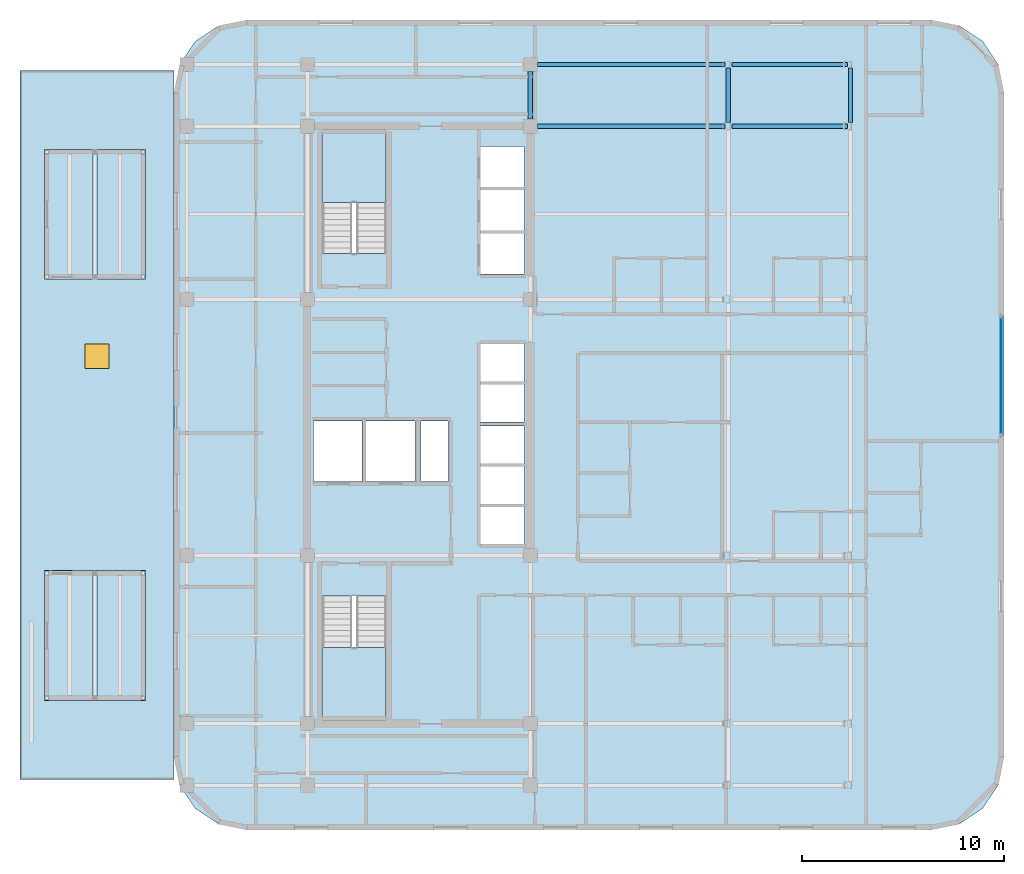
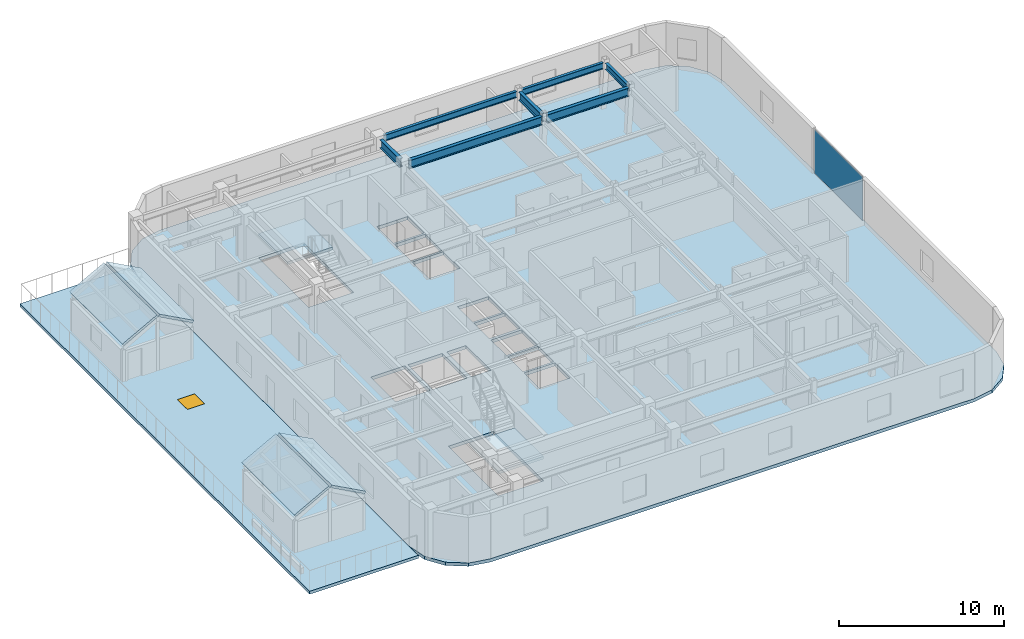
# One storey, part 8 of 16: 8 slabs, 7 beams, 1 plate, 1 window, 1 opening, 3 elements without a shape of their own.
"""IFC4 building model written with IfcOpenShell, lengths in metres."""

from ifc_helpers import new_model, si_unit, direction, frame, origin, origin_2d, place, context, subcontext, project, spatial, polyline, rectangle, i_section, outline, extrude, material, layer, layer_set, material_profile, profile_set, type_object, element, fill, aggregate, save


model = new_model("IFC4")

# Units and contexts
model_context = context("Model", 3, precision=1e-05, world=origin(), true_north=direction((0.0, 1.0)))
body_context = subcontext(model_context, "Body", "Model", "MODEL_VIEW")
ifc_project = project(units=[si_unit("LENGTHUNIT", "METRE"), si_unit("AREAUNIT", "SQUARE_METRE"), si_unit("VOLUMEUNIT", "CUBIC_METRE"), si_unit("PLANEANGLEUNIT", "RADIAN"), si_unit("MASSUNIT", "GRAM", prefix="KILO")], contexts=[model_context])

# Site, building, storey
site_placement = place(None, origin())
site = spatial("IfcSite", under=ifc_project, at=site_placement, CompositionType="ELEMENT")
building_placement = place(site_placement, origin())
building = spatial("IfcBuilding", under=site, at=building_placement, Name="Ochreholt Gables", CompositionType="ELEMENT")
storey_placement = place(building_placement, frame((0.0, 0.0, 141.0)))
storey = spatial("IfcBuildingStorey", under=building, at=storey_placement, Name="L36", CompositionType="ELEMENT", Elevation=141.0)

# Beams
ifc_material_1 = material(Name="Steel CSA G40.21 350W", Category="steel")
ifc_material_profile_1 = material_profile(ifc_material_1, i_section(OverallWidth=0.22900390625, OverallDepth=0.612060546875, WebThickness=0.011962890625, FlangeThickness=0.01953125, at=origin_2d()), Name="W610X125")
ifc_profile_set_1 = profile_set([ifc_material_profile_1], Name="Steel CSA G40.21 350W")
beam_type_1 = type_object("IfcBeamType", Name="BM-G-W610B", PredefinedType="BEAM", material=ifc_profile_set_1)
beam_1_placement = place(storey_placement, frame((35.549560546875, 38.75, 3.053955078125), z_axis=(1.0, 0.0, 0.0), x_axis=(0.0, 1.0, 0.0)))
element("IfcBeam", 1, at=beam_1_placement, inside=storey, type_object=beam_type_1, Name="L36 Beam TBG-L36-C2EM-Y5", PredefinedType="BEAM", context=body_context, shape_type="SweptSolid", body=[
    extrude(i_section(OverallWidth=0.22900390625, OverallDepth=0.612060546875, WebThickness=0.011962890625, FlangeThickness=0.01953125, at=origin_2d()), origin(), (0.0, 0.0, 1.0), 9.269775390625),
])
beam_2_placement = place(storey_placement, frame((45.174560546875, 38.75, 3.053955078125), z_axis=(1.0, 0.0, 0.0), x_axis=(0.0, 1.0, 0.0)))
element("IfcBeam", 2, at=beam_2_placement, inside=storey, type_object=beam_type_1, Name="L36 Beam TBG-L36-EMEE-Y5", PredefinedType="BEAM", context=body_context, shape_type="SweptSolid", body=[
    extrude(i_section(OverallWidth=0.22900390625, OverallDepth=0.612060546875, WebThickness=0.011962890625, FlangeThickness=0.01953125, at=origin_2d()), origin(), (0.0, 0.0, 1.0), 5.69140625),
])
beam_3_placement = place(storey_placement, frame((35.199951171875, 39.099609375, 3.053955078125), z_axis=(0.0, 1.0, 0.0), x_axis=(-1.0, 0.0, 0.0)))
element("IfcBeam", 3, at=beam_3_placement, inside=storey, type_object=beam_type_1, Name="L36 Beam TBN-L36-C2-Y5Y6", PredefinedType="BEAM", context=body_context, shape_type="SweptSolid", body=[
    extrude(i_section(OverallWidth=0.22900390625, OverallDepth=0.612060546875, WebThickness=0.011962890625, FlangeThickness=0.01953125, at=origin_2d()), origin(), (0.0, 0.0, 1.0), 2.350830078125),
])
beam_4_placement = place(storey_placement, frame((44.979736328125, 38.927490234375, 3.053955078125), z_axis=(0.0, 1.0, 0.0), x_axis=(-1.0, 0.0, 0.0)))
element("IfcBeam", 4, at=beam_4_placement, inside=storey, type_object=beam_type_1, Name="L36 Beam TBN-L36-EM-Y5Y6", PredefinedType="BEAM", context=body_context, shape_type="SweptSolid", body=[
    extrude(i_section(OverallWidth=0.22900390625, OverallDepth=0.612060546875, WebThickness=0.011962890625, FlangeThickness=0.01953125, at=origin_2d()), origin(), (0.0, 0.0, 1.0), 2.69482421875),
])
ifc_material_profile_2 = material_profile(ifc_material_1, i_section(OverallWidth=0.19189453125, OverallDepth=0.462890625, WebThickness=0.010498046875, FlangeThickness=0.017578125, at=origin_2d()), Name="W460X89")
ifc_profile_set_2 = profile_set([ifc_material_profile_2], Name="Steel CSA G40.21 350W")
beam_type_2 = type_object("IfcBeamType", Name="BM-SP-W460A", PredefinedType="SPANDREL", material=ifc_profile_set_2)
beam_5_placement = place(storey_placement, frame((35.549560546875, 41.800048828125, 3.12841796875), z_axis=(1.0, 0.0, 0.0), x_axis=(0.0, 1.0, 0.0)))
element("IfcBeam", 5, at=beam_5_placement, inside=storey, type_object=beam_type_2, Name="L36 Beam TBG-L36-C2EM-Y6", PredefinedType="SPANDREL", context=body_context, shape_type="SweptSolid", body=[
    extrude(i_section(OverallWidth=0.19189453125, OverallDepth=0.462890625, WebThickness=0.010498046875, FlangeThickness=0.017578125, at=origin_2d()), origin(), (0.0, 0.0, 1.0), 9.269775390625),
])
beam_6_placement = place(storey_placement, frame((45.174560546875, 41.800048828125, 3.12841796875), z_axis=(1.0, 0.0, 0.0), x_axis=(0.0, 1.0, 0.0)))
element("IfcBeam", 6, at=beam_6_placement, inside=storey, type_object=beam_type_2, Name="L36 Beam TBG-L36-EMEE-Y6", PredefinedType="SPANDREL", context=body_context, shape_type="SweptSolid", body=[
    extrude(i_section(OverallWidth=0.19189453125, OverallDepth=0.462890625, WebThickness=0.010498046875, FlangeThickness=0.017578125, at=origin_2d()), origin(), (0.0, 0.0, 1.0), 5.69140625),
])
beam_7_placement = place(storey_placement, frame((51.01513671875, 38.927490234375, 3.12841796875), z_axis=(0.0, 1.0, 0.0), x_axis=(-1.0, 0.0, 0.0)))
element("IfcBeam", 7, at=beam_7_placement, inside=storey, type_object=beam_type_2, Name="L36 Beam TBN-L36-EE-Y5Y6", PredefinedType="SPANDREL", context=body_context, shape_type="SweptSolid", body=[
    extrude(i_section(OverallWidth=0.19189453125, OverallDepth=0.462890625, WebThickness=0.010498046875, FlangeThickness=0.017578125, at=origin_2d()), origin(), (0.0, 0.0, 1.0), 2.69482421875),
])

# Curtain wall, plate
ifc_material_2 = material(Name="Unitised Aluminium and Triple Glazing", Category="aluminium")
ifc_layer_1 = layer(ifc_material_2, 0.199951171875, Name="Unitised Aluminium and Triple Glazing")
ifc_layer_set_1 = layer_set([ifc_layer_1], Name="Unitised Aluminium and Triple Glazing")
curtain_wall_type = type_object("IfcCurtainWallType", Name="CW-SYS4", PredefinedType="NOTDEFINED", material=ifc_layer_set_1)
curtain_wall_placement = place(storey_placement, origin())
curtain_wall = element("IfcCurtainWall", 8, at=curtain_wall_placement, inside=storey, type_object=curtain_wall_type, Name="L36 East Unitised Curtain Wall", PredefinedType="NOTDEFINED")
ifc_material_3 = material(Name="Triple Low-E Insulating Glass", Category="glass")
ifc_layer_2 = layer(ifc_material_3, 0.035888671875, Name="Triple Low-E Insulating Glass")
ifc_layer_set_2 = layer_set([ifc_layer_2], Name="Triple Low-E Insulating Glass")
plate_type = type_object("IfcPlateType", Name="CW-PNL-36", PredefinedType="CURTAIN_PANEL", material=ifc_layer_set_2)
plate_placement = place(storey_placement, frame((58.4599609375, 26.425048828125, 0.06494140625), z_axis=(0.0, 0.0, 1.0), x_axis=(0.0, 1.0, 0.0)))
plate = element("IfcPlate", 9, at=plate_placement, type_object=plate_type, Name="CW-4 panel 1.1", PredefinedType="CURTAIN_PANEL", context=body_context, shape_type="SweptSolid", body=[
    extrude(rectangle(XDim=5.800048828125, YDim=0.035888671875, at=origin_2d()), origin(), (0.0, 0.0, 1.0), 3.22998046875),
])
aggregate(curtain_wall, [plate])

# Stair, slab
ifc_material_4 = material(Name="Concrete 40 MPa", Category="concrete")
stair_type_1 = type_object("IfcStairType", Name="STAIR-CORE-ST-1", PredefinedType="HALF_TURN_STAIR", material=ifc_material_4)
stair_1_placement = place(storey_placement, origin())
stair_1 = element("IfcStair", 10, at=stair_1_placement, inside=storey, type_object=stair_type_1, Name="L36 Core Exit Stair 1", PredefinedType="HALF_TURN_STAIR")
ifc_layer_3 = layer(ifc_material_4, 0.199951171875, Name="Concrete 40 MPa")
ifc_layer_set_3 = layer_set([ifc_layer_3], Name="Concrete 40 MPa")
slab_type_1 = type_object("IfcSlabType", Name="LANDING-RC200", PredefinedType="LANDING", material=ifc_layer_set_3)
slab_1_placement = place(storey_placement, frame((0.0, 0.0, 1.60009765625)))
slab_1 = element("IfcSlab", 11, at=slab_1_placement, type_object=slab_type_1, Name="ST-1 landing 1", PredefinedType="LANDING", context=body_context, shape_type="SweptSolid", body=[
    extrude(outline(polyline([(24.919921875, 13.001953125), (24.919921875, 9.52001953125), (28.080078125, 9.52001953125), (28.080078125, 13.001953125), (24.919921875, 13.001953125)])), origin(), (0.0, 0.0, 1.0), 0.199951171875),
])
aggregate(stair_1, [slab_1])

stair_type_2 = type_object("IfcStairType", Name="STAIR-CORE-ST-2", PredefinedType="HALF_TURN_STAIR", material=ifc_material_4)
stair_2_placement = place(storey_placement, origin())
stair_2 = element("IfcStair", 12, at=stair_2_placement, inside=storey, type_object=stair_type_2, Name="L36 Core Exit Stair 2", PredefinedType="HALF_TURN_STAIR")
slab_2_placement = place(storey_placement, frame((0.0, 0.0, 1.60009765625)))
slab_2 = element("IfcSlab", 13, at=slab_2_placement, type_object=slab_type_1, Name="ST-2 landing 1", PredefinedType="LANDING", context=body_context, shape_type="SweptSolid", body=[
    extrude(outline(polyline([(28.080078125, 34.998046875), (28.080078125, 38.47998046875), (24.919921875, 38.47998046875), (24.919921875, 34.998046875), (28.080078125, 34.998046875)])), origin(), (0.0, 0.0, 1.0), 0.199951171875),
])
aggregate(stair_2, [slab_2])

# Slabs
ifc_material_5 = material(Name="Precast concrete 40 MPa", Category="concrete")
ifc_layer_4 = layer(ifc_material_5, 0.179931640625, Name="Precast concrete 40 MPa")
ifc_layer_set_4 = layer_set([ifc_layer_4], Name="Precast concrete 40 MPa")
slab_type_2 = type_object("IfcSlabType", Name="SLAB-GAB-180", PredefinedType="ROOF", material=ifc_layer_set_4)
slab_3_placement = place(storey_placement, frame((11.199951171875, 10.39990234375, 2.85009765625), z_axis=(-0.475103167923, 0.0, 0.8799300994), x_axis=(0.8799300994, 0.0, 0.475103167923)))
element("IfcSlab", 14, at=slab_3_placement, inside=storey, type_object=slab_type_2, Name="L36 Gable West Roof Slope GB-36W1", PredefinedType="ROOF", context=body_context, shape_type="SweptSolid", body=[
    extrude(outline(polyline([(0.0, 0.0), (2.727100942179397, 0.0), (2.727100942179397, 6.400146484375), (0.0, 6.400146484375), (0.0, 0.0)])), origin(), (0.0, 0.0, -1.0), 0.179931640625),
])
slab_4_placement = place(storey_placement, frame((13.800537109375, 10.39990234375, 4.145751953125), z_axis=(0.475140596573, 0.0, 0.879909889414), x_axis=(0.879909889414, 0.0, -0.475140596573)))
element("IfcSlab", 15, at=slab_4_placement, inside=storey, type_object=slab_type_2, Name="L36 Gable East Roof Slope GB-36W1", PredefinedType="ROOF", context=body_context, shape_type="SweptSolid", body=[
    extrude(outline(polyline([(0.0, 0.0), (2.7268861179619153, 0.0), (2.7268861179619153, 6.400146484375), (0.0, 6.400146484375), (0.0, 0.0)])), origin(), (0.0, 0.0, -1.0), 0.179931640625),
])
slab_5_placement = place(storey_placement, frame((11.199951171875, 31.199951171875, 2.85009765625), z_axis=(-0.475103167923, 0.0, 0.8799300994), x_axis=(0.8799300994, 0.0, 0.475103167923)))
element("IfcSlab", 16, at=slab_5_placement, inside=storey, type_object=slab_type_2, Name="L36 Gable West Roof Slope GB-36W2", PredefinedType="ROOF", context=body_context, shape_type="SweptSolid", body=[
    extrude(outline(polyline([(0.0, 0.0), (2.727100942179397, 0.0), (2.727100942179397, 6.400146484375), (0.0, 6.400146484375), (0.0, 0.0)])), origin(), (0.0, 0.0, -1.0), 0.179931640625),
])
slab_6_placement = place(storey_placement, frame((13.800537109375, 31.199951171875, 4.145751953125), z_axis=(0.475140596573, 0.0, 0.879909889414), x_axis=(0.879909889414, 0.0, -0.475140596573)))
element("IfcSlab", 17, at=slab_6_placement, inside=storey, type_object=slab_type_2, Name="L36 Gable East Roof Slope GB-36W2", PredefinedType="ROOF", context=body_context, shape_type="SweptSolid", body=[
    extrude(outline(polyline([(0.0, 0.0), (2.7268861179619153, 0.0), (2.7268861179619153, 6.400146484375), (0.0, 6.400146484375), (0.0, 0.0)])), origin(), (0.0, 0.0, -1.0), 0.179931640625),
])

# Slab, opening, window
ifc_layer_5 = layer(ifc_material_4, 0.219970703125, Name="Concrete 40 MPa")
ifc_layer_set_5 = layer_set([ifc_layer_5], Name="Concrete 40 MPa")
slab_type_3 = type_object("IfcSlabType", Name="SLAB-TER-220", PredefinedType="FLOOR", material=ifc_layer_set_5)
slab_7_placement = place(storey_placement, frame((0.0, 0.0, -0.219970703125)))
slab_7 = element("IfcSlab", 18, at=slab_7_placement, inside=storey, type_object=slab_type_3, Name="L36 Outdoor Terrace Slab TR-L36-W", PredefinedType="FLOOR", context=body_context, shape_type="SweptSolid", body=[
    extrude(outline(polyline([(10.0, 6.5), (17.599853515625, 6.5), (17.599853515625, 41.5), (10.0, 41.5), (10.0, 6.5)])), origin(), (0.0, 0.0, 1.0), 0.219970703125),
])
opening_placement = place(slab_7_placement, frame((13.7998046875, 27.39990234375, 0.0)))
opening = element("IfcOpeningElement", 19, at=opening_placement, cuts=slab_7, Name="Opening SK-1", PredefinedType="OPENING", context=body_context, shape_type="SweptSolid", body=[
    extrude(rectangle(XDim=1.199951171875, YDim=1.199951171875, at=origin_2d()), frame((0.0, 0.0, -0.010009765625)), (0.0, 0.0, 1.0), 0.239990234375),
])
ifc_material_6 = material(Name="Triple-Glazed Thermally Broken Aluminium Window", Category="aluminium")
window_type = type_object("IfcWindowType", Name="SKY-TER-1200", PartitioningType="SINGLE_PANEL", PredefinedType="SKYLIGHT", material=ifc_material_6)
window_placement = place(opening_placement, frame((0.0, 0.0, 0.169921875)))
window = element("IfcWindow", 20, at=window_placement, inside=storey, type_object=window_type, Name="L36 Terrace Daylight Skylight TR-L36-W", OverallHeight=1.199951171875, OverallWidth=1.199951171875, PartitioningType="SINGLE_PANEL", PredefinedType="SKYLIGHT", context=body_context, shape_type="SweptSolid", body=[
    extrude(rectangle(XDim=1.199951171875, YDim=1.199951171875, at=origin_2d()), origin(), (0.0, 0.0, 1.0), 0.050048828125),
])
fill(opening, window)

# Slab
ifc_layer_6 = layer(ifc_material_4, 0.239990234375, Name="Concrete 40 MPa")
ifc_layer_set_6 = layer_set([ifc_layer_6], Name="Concrete 40 MPa")
slab_type_4 = type_object("IfcSlabType", Name="SLAB-TWR-240", PredefinedType="FLOOR", material=ifc_layer_set_6)
slab_8_placement = place(storey_placement, frame((0.0, 0.0, -0.239990234375)))
element("IfcSlab", 21, at=slab_8_placement, inside=storey, type_object=slab_type_4, Name="L36 Structural Floor Slab", PredefinedType="FLOOR", context=body_context, shape_type="SweptSolid", body=[
    extrude(outline(polyline([(17.60009765625, 7.60009765625), (17.8740234375, 6.222412109375), (18.654296875, 5.054443359375), (19.822265625, 4.27392578125), (21.199951171875, 4.0), (55.0, 4.0), (56.377685546875, 4.27392578125), (57.545654296875, 5.054443359375), (58.325927734375, 6.222412109375), (58.60009765625, 7.60009765625), (58.60009765625, 40.39990234375), (58.325927734375, 41.777587890625), (57.545654296875, 42.945556640625), (56.377685546875, 43.72607421875), (55.0, 44.0), (21.199951171875, 44.0), (19.822265625, 43.72607421875), (18.654296875, 42.945556640625), (17.8740234375, 41.777587890625), (17.60009765625, 40.39990234375), (17.60009765625, 7.60009765625)]), holes=[polyline([(24.919921875, 15.539306640625), (24.919921875, 9.52001953125), (28.080078125, 9.52001953125), (28.080078125, 15.539306640625), (24.919921875, 15.539306640625)]), polyline([(28.080078125, 32.460693359375), (28.080078125, 38.47998046875), (24.919921875, 38.47998046875), (24.919921875, 32.460693359375), (28.080078125, 32.460693359375)]), polyline([(24.5, 21.199951171875), (26.89990234375, 21.199951171875), (26.89990234375, 24.199951171875), (24.5, 24.199951171875), (24.5, 21.199951171875)]), polyline([(27.10009765625, 21.199951171875), (29.5, 21.199951171875), (29.5, 24.199951171875), (27.10009765625, 24.199951171875), (27.10009765625, 21.199951171875)]), polyline([(32.75, 18.10009765625), (34.89990234375, 18.10009765625), (34.89990234375, 19.949951171875), (32.75, 19.949951171875), (32.75, 18.10009765625)]), polyline([(32.75, 20.10009765625), (34.89990234375, 20.10009765625), (34.89990234375, 21.949951171875), (32.75, 21.949951171875), (32.75, 20.10009765625)]), polyline([(32.75, 22.10009765625), (34.89990234375, 22.10009765625), (34.89990234375, 23.949951171875), (32.75, 23.949951171875), (32.75, 22.10009765625)]), polyline([(32.75, 24.14990234375), (34.89990234375, 24.14990234375), (34.89990234375, 26.0), (32.75, 26.0), (32.75, 24.14990234375)]), polyline([(32.75, 26.14990234375), (34.89990234375, 26.14990234375), (34.89990234375, 28.0), (32.75, 28.0), (32.75, 26.14990234375)]), polyline([(32.75, 31.449951171875), (34.89990234375, 31.449951171875), (34.89990234375, 33.449951171875), (32.75, 33.449951171875), (32.75, 31.449951171875)]), polyline([(32.75, 33.60009765625), (34.89990234375, 33.60009765625), (34.89990234375, 35.60009765625), (32.75, 35.60009765625), (32.75, 33.60009765625)]), polyline([(32.75, 35.75), (34.89990234375, 35.75), (34.89990234375, 37.75), (32.75, 37.75), (32.75, 35.75)]), polyline([(29.800048828125, 21.199951171875), (31.14990234375, 21.199951171875), (31.14990234375, 24.199951171875), (29.800048828125, 24.199951171875), (29.800048828125, 21.199951171875)])]), origin(), (0.0, 0.0, 1.0), 0.239990234375),
])

save(model, "model.ifc")
